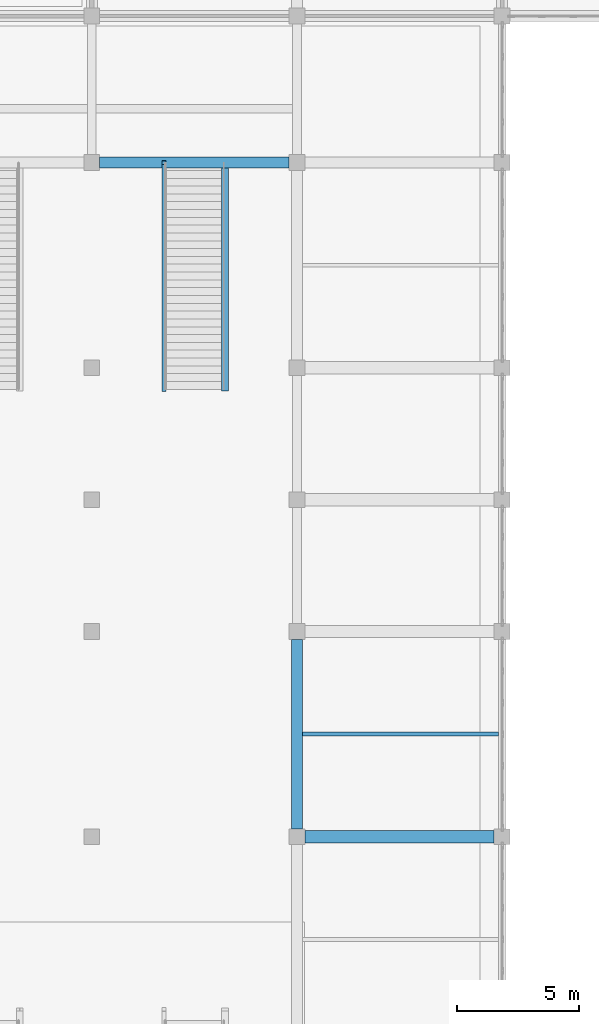
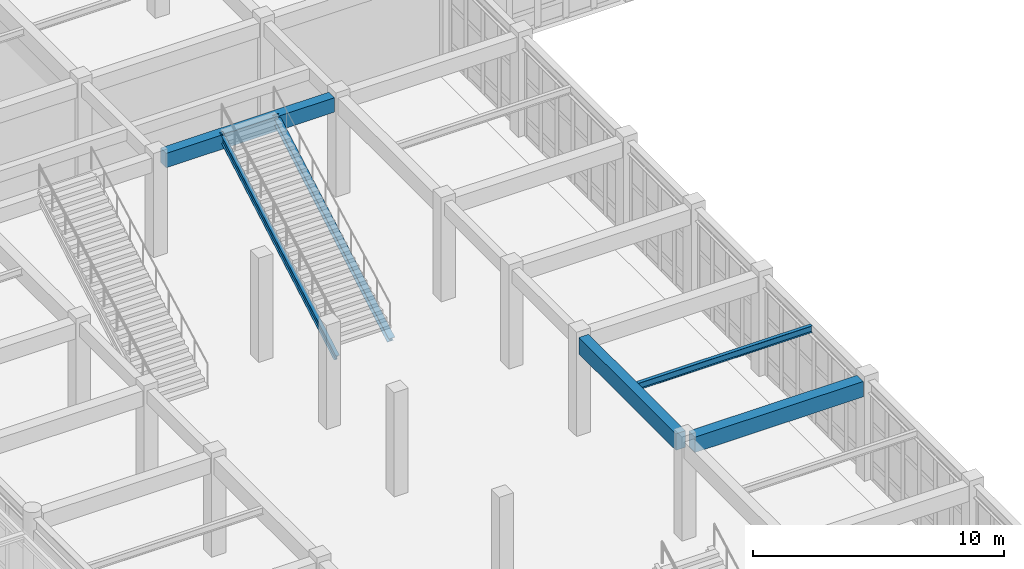
# One storey, part 26 of 80: 4 beams, 2 members.
"""IFC4 building model written with IfcOpenShell, lengths in metres."""

from ifc_helpers import new_model, si_unit, direction, frame, origin, origin_2d, place, context, subcontext, project, spatial, rectangle, i_section, extrude, material, material_profile, profile_set, type_object, element, save


model = new_model("IFC4")

# Units and contexts
model_context = context("Model", 3, precision=1e-05, world=origin(), true_north=direction((0.0, 1.0)))
body_context = subcontext(model_context, "Body", "Model", "MODEL_VIEW")
ifc_project = project(units=[si_unit("LENGTHUNIT", "METRE"), si_unit("AREAUNIT", "SQUARE_METRE"), si_unit("VOLUMEUNIT", "CUBIC_METRE"), si_unit("PLANEANGLEUNIT", "RADIAN"), si_unit("MASSUNIT", "GRAM", prefix="KILO")], contexts=[model_context])

# Site, building, storey
site_placement = place(None, origin())
site = spatial("IfcSite", under=ifc_project, at=site_placement, CompositionType="ELEMENT")
building_placement = place(site_placement, origin())
building = spatial("IfcBuilding", under=site, at=building_placement, Name="Krzemoval Escarpment Law Courts", CompositionType="ELEMENT")
storey_placement = place(building_placement, origin())
storey = spatial("IfcBuildingStorey", under=building, at=storey_placement, Name="L00", CompositionType="ELEMENT", Elevation=0.0)

# Beams
ifc_material_1 = material(Name="Concrete C40/50", Category="concrete")
ifc_material_profile_1 = material_profile(ifc_material_1, rectangle(XDim=0.449951171875, YDim=0.699951171875, at=origin_2d()), Name="RCB 450x700")
ifc_profile_set_1 = profile_set([ifc_material_profile_1], Name="Concrete C40/50")
beam_type_1 = type_object("IfcBeamType", Name="BM-RC-450x700", PredefinedType="BEAM", material=ifc_profile_set_1)
beam_1_placement = place(storey_placement, frame((25.52490234375, 93.60009765625, 4.469970703125), z_axis=(1.0, 0.0, 0.0), x_axis=(0.0, 1.0, 0.0)))
element("IfcBeam", 1, at=beam_1_placement, inside=storey, type_object=beam_type_1, Name="Beam FG-L00-0732", PredefinedType="BEAM", context=body_context, shape_type="SweptSolid", body=[
    extrude(rectangle(XDim=0.449951171875, YDim=0.699951171875, at=origin_2d()), origin(), (0.0, 0.0, 1.0), 7.75),
])
ifc_material_2 = material(Name="Concrete C40/50", Category="concrete")
ifc_material_profile_2 = material_profile(ifc_material_2, rectangle(XDim=0.449951171875, YDim=0.800048828125, at=origin_2d()), Name="RCB 450x800")
ifc_profile_set_2 = profile_set([ifc_material_profile_2], Name="Concrete C40/50")
beam_type_2 = type_object("IfcBeamType", Name="BM-RC-450x800", PredefinedType="BEAM", material=ifc_profile_set_2)
beam_2_placement = place(storey_placement, frame((33.60009765625, 66.324951171875, 4.419921875), z_axis=(0.0, 1.0, 0.0), x_axis=(-1.0, 0.0, 0.0)))
element("IfcBeam", 2, at=beam_2_placement, inside=storey, type_object=beam_type_2, Name="Beam FG-L00-0870", PredefinedType="BEAM", context=body_context, shape_type="SweptSolid", body=[
    extrude(rectangle(XDim=0.449951171875, YDim=0.800048828125, at=origin_2d()), origin(), (0.0, 0.0, 1.0), 7.75),
])
ifc_material_3 = material(Name="Concrete C40/50", Category="concrete")
ifc_material_profile_3 = material_profile(ifc_material_3, rectangle(XDim=0.5, YDim=0.75, at=origin_2d()), Name="RCB 500x750")
ifc_profile_set_3 = profile_set([ifc_material_profile_3], Name="Concrete C40/50")
beam_type_3 = type_object("IfcBeamType", Name="BM-RC-500x750", PredefinedType="BEAM", material=ifc_profile_set_3)
beam_3_placement = place(storey_placement, frame((33.925048828125, 66.0, 4.445068359375), z_axis=(1.0, 0.0, 0.0), x_axis=(0.0, 1.0, 0.0)))
element("IfcBeam", 3, at=beam_3_placement, inside=storey, type_object=beam_type_3, Name="Beam FG-L00-0706", PredefinedType="BEAM", context=body_context, shape_type="SweptSolid", body=[
    extrude(rectangle(XDim=0.5, YDim=0.75, at=origin_2d()), origin(), (0.0, 0.0, 1.0), 7.75),
])
ifc_material_4 = material(Name="Steel S355", Category="steel")
ifc_material_profile_4 = material_profile(ifc_material_4, i_section(OverallWidth=0.159912109375, OverallDepth=0.330078125, WebThickness=0.007568359375, FlangeThickness=0.011474609375, at=origin_2d()), Name="IPE 330")
ifc_profile_set_4 = profile_set([ifc_material_profile_4], Name="Steel S355")
beam_type_4 = type_object("IfcBeamType", Name="JST-S355-IPE330", PredefinedType="JOIST", material=ifc_profile_set_4)
beam_4_placement = place(storey_placement, frame((33.824951171875, 70.199951171875, 4.655029296875), z_axis=(1.0, 0.0, 0.0), x_axis=(0.0, 1.0, 0.0)))
element("IfcBeam", 4, at=beam_4_placement, inside=storey, type_object=beam_type_4, Name="Secondary Joist FJ-L00-1070", PredefinedType="JOIST", context=body_context, shape_type="SweptSolid", body=[
    extrude(i_section(OverallWidth=0.159912109375, OverallDepth=0.330078125, WebThickness=0.007568359375, FlangeThickness=0.011474609375, at=origin_2d()), origin(), (0.0, 0.0, 1.0), 8.025146484375),
])

# Members
ifc_material_5 = material(Name="Steel S355", Category="steel")
ifc_material_profile_5 = material_profile(ifc_material_5, i_section(OverallWidth=0.280029296875, OverallDepth=0.280029296875, WebThickness=0.010498046875, FlangeThickness=0.01806640625, at=origin_2d()), Name="HEB 280")
ifc_profile_set_5 = profile_set([ifc_material_profile_5], Name="Steel S355")
member_type_1 = type_object("IfcMemberType", Name="MBR-STG-HEB280", PredefinedType="STRINGER", material=ifc_profile_set_5)
member_1_placement = place(storey_placement, frame((30.64990234375, 84.320068359375, -0.550048828125), z_axis=(0.0, 0.869566185126, 0.493816412936), x_axis=(-1.0, 0.0, 0.0)))
element("IfcMember", 5, at=member_1_placement, inside=storey, type_object=member_type_1, Name="Stair Stringer STG-0268", PredefinedType="STRINGER", context=body_context, shape_type="SweptSolid", body=[
    extrude(i_section(OverallWidth=0.280029296875, OverallDepth=0.280029296875, WebThickness=0.010498046875, FlangeThickness=0.01806640625, at=origin_2d()), origin(), (0.0, 0.0, 1.0), 10.672119140625),
])
ifc_material_6 = material(Name="Steel S355", Category="steel")
ifc_material_profile_6 = material_profile(ifc_material_6, i_section(OverallWidth=0.159912109375, OverallDepth=0.330078125, WebThickness=0.007568359375, FlangeThickness=0.011474609375, at=origin_2d()), Name="IPE 330")
ifc_profile_set_6 = profile_set([ifc_material_profile_6], Name="Steel S355")
member_type_2 = type_object("IfcMemberType", Name="MBR-STG-IPE330", PredefinedType="STRINGER", material=ifc_profile_set_6)
member_2_placement = place(storey_placement, frame((28.14990234375, 84.320068359375, -0.550048828125), z_axis=(0.0, 0.869566185126, 0.493816412936), x_axis=(-1.0, 0.0, 0.0)))
element("IfcMember", 6, at=member_2_placement, inside=storey, type_object=member_type_2, Name="Stair Stringer STG-0267", PredefinedType="STRINGER", context=body_context, shape_type="SweptSolid", body=[
    extrude(i_section(OverallWidth=0.159912109375, OverallDepth=0.330078125, WebThickness=0.007568359375, FlangeThickness=0.011474609375, at=origin_2d()), origin(), (0.0, 0.0, 1.0), 10.672119140625),
])

save(model, "model.ifc")
